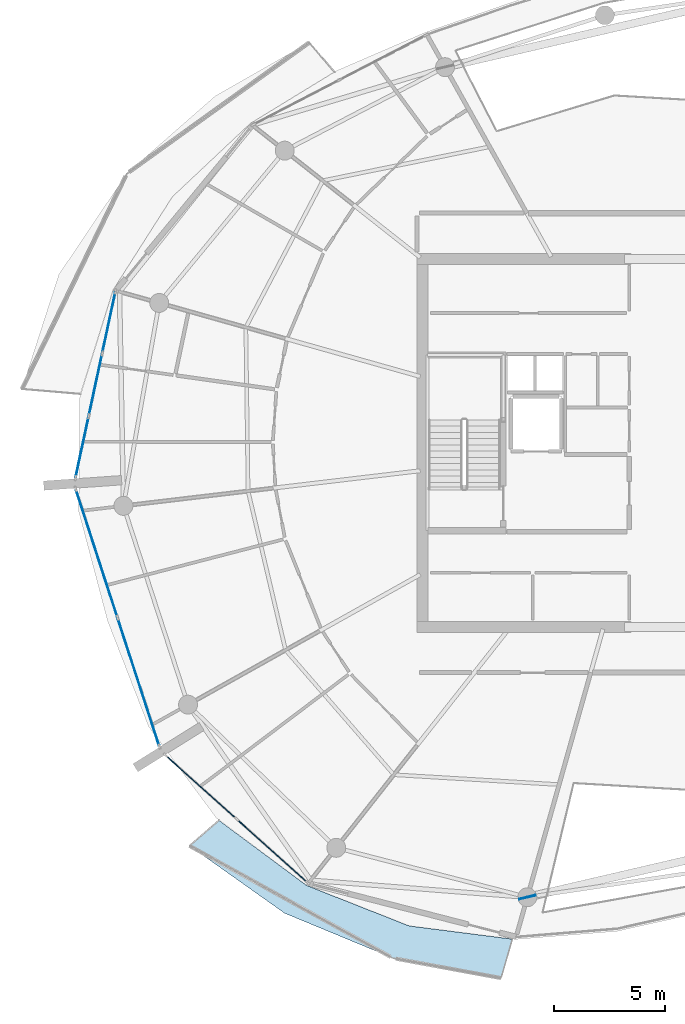
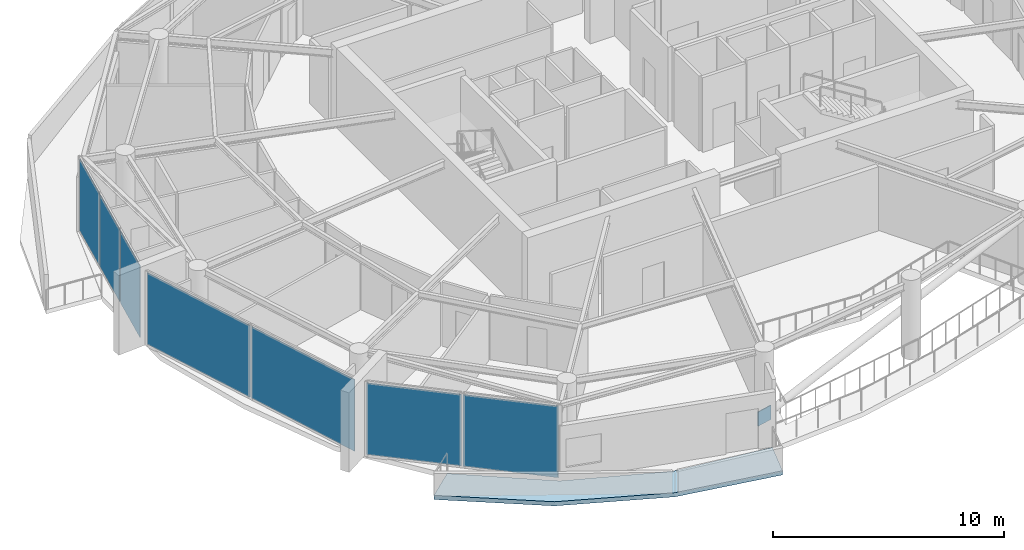
# One storey, part 9 of 22: 8 plates, 1 slab, 3 elements without a shape of their own.
"""IFC4 building model written with IfcOpenShell, lengths in metres."""

from ifc_helpers import new_model, si_unit, direction, frame, origin, origin_2d, place, context, subcontext, project, spatial, polyline, rectangle, outline, extrude, material, layer, layer_set, type_object, element, aggregate, save


model = new_model("IFC4")

# Units and contexts
model_context = context("Model", 3, precision=1e-05, world=origin(), true_north=direction((0.0, 1.0)))
body_context = subcontext(model_context, "Body", "Model", "MODEL_VIEW")
ifc_project = project(units=[si_unit("LENGTHUNIT", "METRE"), si_unit("AREAUNIT", "SQUARE_METRE"), si_unit("VOLUMEUNIT", "CUBIC_METRE"), si_unit("PLANEANGLEUNIT", "RADIAN"), si_unit("MASSUNIT", "GRAM", prefix="KILO")], contexts=[model_context])

# Site, building, storey
site_placement = place(None, origin())
site = spatial("IfcSite", under=ifc_project, at=site_placement, CompositionType="ELEMENT")
building_placement = place(site_placement, origin())
building = spatial("IfcBuilding", under=site, at=building_placement, Name="Kazma Halo Residences", CompositionType="ELEMENT")
storey_placement = place(building_placement, frame((0.0, 0.0, 322.10009765625)))
storey = spatial("IfcBuildingStorey", under=building, at=storey_placement, Name="L81", CompositionType="ELEMENT", Elevation=322.10009765625)

# Curtain wall, plates
ifc_material_1 = material(Name="Aluminium AW-6063 T6 and Triple-Silver Low-E Glass", Category="aluminium")
ifc_layer_1 = layer(ifc_material_1, 0.239990234375)
ifc_layer_set_1 = layer_set([ifc_layer_1], Name="Aluminium AW-6063 T6 and Triple-Silver Low-E Glass")
curtain_wall_type = type_object("IfcCurtainWallType", Name="CW-SYS-6", PredefinedType="NOTDEFINED", material=ifc_layer_set_1)
curtain_wall_1_placement = place(storey_placement, origin())
curtain_wall_1 = element("IfcCurtainWall", 1, at=curtain_wall_1_placement, inside=storey, type_object=curtain_wall_type, Name="L81 unitised curtain wall B07", PredefinedType="NOTDEFINED")
ifc_material_2 = material(Name="Clear Triple-Silver Low-E Glass IGU", Category="glass")
ifc_layer_2 = layer(ifc_material_2, 0.035888671875)
ifc_layer_set_2 = layer_set([ifc_layer_2], Name="Clear Triple-Silver Low-E Glass IGU")
plate_type_1 = type_object("IfcPlateType", Name="CW-SYS-6-PNL", PredefinedType="CURTAIN_PANEL", material=ifc_layer_set_2)
plate_1_placement = place(storey_placement, frame((23.486572265625, 47.40087890625, 0.080078125), z_axis=(0.0, 0.0, 1.0), x_axis=(-0.209722888986, -0.977760865363, 0.0)))
plate_1 = element("IfcPlate", 2, at=plate_1_placement, type_object=plate_type_1, Name="CWS-6 panel 1.1", PredefinedType="CURTAIN_PANEL", context=body_context, shape_type="SweptSolid", body=[
    extrude(rectangle(XDim=2.7578125, YDim=0.035888671875, at=origin_2d()), origin(), (0.0, 0.0, 1.0), 3.780029296875),
])
plate_2_placement = place(storey_placement, frame((22.88720703125, 44.6064453125, 0.080078125), z_axis=(0.0, 0.0, 1.0), x_axis=(-0.209722888986, -0.977760865363, 0.0)))
plate_2 = element("IfcPlate", 3, at=plate_2_placement, type_object=plate_type_1, Name="CWS-6 panel 2.1", PredefinedType="CURTAIN_PANEL", context=body_context, shape_type="SweptSolid", body=[
    extrude(rectangle(XDim=2.7978515625, YDim=0.035888671875, at=origin_2d()), origin(), (0.0, 0.0, 1.0), 3.780029296875),
])
plate_3_placement = place(storey_placement, frame((22.287841796875, 41.812255859375, 0.080078125), z_axis=(0.0, 0.0, 1.0), x_axis=(-0.209722888986, -0.977760865363, 0.0)))
plate_3 = element("IfcPlate", 4, at=plate_3_placement, type_object=plate_type_1, Name="CWS-6 panel 3.1", PredefinedType="CURTAIN_PANEL", context=body_context, shape_type="SweptSolid", body=[
    extrude(rectangle(XDim=2.7578125, YDim=0.035888671875, at=origin_2d()), origin(), (0.0, 0.0, 1.0), 3.780029296875),
])
aggregate(curtain_wall_1, [plate_1, plate_2, plate_3])

curtain_wall_2_placement = place(storey_placement, origin())
curtain_wall_2 = element("IfcCurtainWall", 5, at=curtain_wall_2_placement, inside=storey, type_object=curtain_wall_type, Name="L81 unitised curtain wall B08", PredefinedType="NOTDEFINED")
plate_4_placement = place(storey_placement, frame((22.939208984375, 37.0498046875, 0.080078125), z_axis=(0.0, 0.0, 1.0), x_axis=(0.309018932797, -0.951055886462, 0.0)))
plate_4 = element("IfcPlate", 6, at=plate_4_placement, type_object=plate_type_1, Name="CWS-6 panel 1.1", PredefinedType="CURTAIN_PANEL", context=body_context, shape_type="SweptSolid", body=[
    extrude(rectangle(XDim=5.99267578125, YDim=0.035888671875, at=origin_2d()), origin(), (0.0, 0.0, 1.0), 3.780029296875),
])
plate_5_placement = place(storey_placement, frame((24.81591796875, 31.2744140625, 0.080078125), z_axis=(0.0, 0.0, 1.0), x_axis=(0.309018932797, -0.951055886462, 0.0)))
plate_5 = element("IfcPlate", 7, at=plate_5_placement, type_object=plate_type_1, Name="CWS-6 panel 2.1", PredefinedType="CURTAIN_PANEL", context=body_context, shape_type="SweptSolid", body=[
    extrude(rectangle(XDim=5.99267578125, YDim=0.035888671875, at=origin_2d()), origin(), (0.0, 0.0, 1.0), 3.780029296875),
])
aggregate(curtain_wall_2, [plate_4, plate_5])

curtain_wall_3_placement = place(storey_placement, origin())
curtain_wall_3 = element("IfcCurtainWall", 8, at=curtain_wall_3_placement, inside=storey, type_object=curtain_wall_type, Name="L81 unitised curtain wall B09", PredefinedType="NOTDEFINED")
plate_6_placement = place(storey_placement, frame((27.62353515625, 26.55810546875, 0.080078125), z_axis=(0.0, 0.0, 1.0), x_axis=(0.744378829791, -0.667757559118, 0.0)))
plate_6 = element("IfcPlate", 9, at=plate_6_placement, type_object=plate_type_1, Name="CWS-6 panel 1.1", PredefinedType="CURTAIN_PANEL", context=body_context, shape_type="SweptSolid", body=[
    extrude(rectangle(XDim=4.19677734375, YDim=0.035888671875, at=origin_2d()), origin(), (0.0, 0.0, 1.0), 3.780029296875),
])
plate_7_placement = place(storey_placement, frame((30.80712890625, 23.702392578125, 0.080078125), z_axis=(0.0, 0.0, 1.0), x_axis=(0.744378829791, -0.667757559118, 0.0)))
plate_7 = element("IfcPlate", 10, at=plate_7_placement, type_object=plate_type_1, Name="CWS-6 panel 2.1", PredefinedType="CURTAIN_PANEL", context=body_context, shape_type="SweptSolid", body=[
    extrude(rectangle(XDim=4.19677734375, YDim=0.035888671875, at=origin_2d()), origin(), (0.0, 0.0, 1.0), 3.780029296875),
])
aggregate(curtain_wall_3, [plate_6, plate_7])

# Plate
ifc_material_3 = material(Name="Steel S355", Category="steel")
ifc_layer_3 = layer(ifc_material_3, 0.0400390625)
ifc_layer_set_3 = layer_set([ifc_layer_3], Name="Steel S355")
plate_type_2 = type_object("IfcPlateType", Name="PLT-GUSSET-40", PredefinedType="SHEET", material=ifc_layer_set_3)
plate_8_placement = place(storey_placement, frame((42.25341796875, 21.62353515625, -0.0751953125), z_axis=(0.0, 0.0, 1.0), x_axis=(0.974083647521, 0.226188080216, 0.0)))
element("IfcPlate", 11, at=plate_8_placement, inside=storey, type_object=plate_type_2, Name="L81 wind-portal lower gusset SSE", PredefinedType="SHEET", context=body_context, shape_type="SweptSolid", body=[
    extrude(rectangle(XDim=0.75, YDim=0.0400390625, at=origin_2d()), origin(), (0.0, 0.0, 1.0), 0.75),
])

# Slab
ifc_material_4 = material(Name="White Concrete C50/60", Category="concrete")
ifc_layer_4 = layer(ifc_material_4, 0.219970703125)
ifc_layer_set_4 = layer_set([ifc_layer_4], Name="White Concrete C50/60")
slab_type = type_object("IfcSlabType", Name="SLB-BAL-WAVE-210", PredefinedType="FLOOR", material=ifc_layer_set_4)
slab_placement = place(storey_placement, frame((0.0, 0.0, -0.22021484375)))
element("IfcSlab", 12, at=slab_placement, inside=storey, type_object=slab_type, Name="L81 SW cantilevered wave balcony slab", PredefinedType="FLOOR", context=body_context, shape_type="SweptSolid", body=[
    extrude(outline(polyline([(28.421630859375, 25.070556640625), (32.35302734375, 22.152099609375), (36.961181640625, 20.335205078125), (41.57666015625, 19.745849609375), (41.072998046875, 18.00048828125), (36.226806640625, 18.893798828125), (31.3701171875, 20.90478515625), (27.10302734375, 23.930419921875), (28.421630859375, 25.070556640625)])), origin(), (0.0, 0.0, 1.0), 0.22021484375),
])

save(model, "model.ifc")
